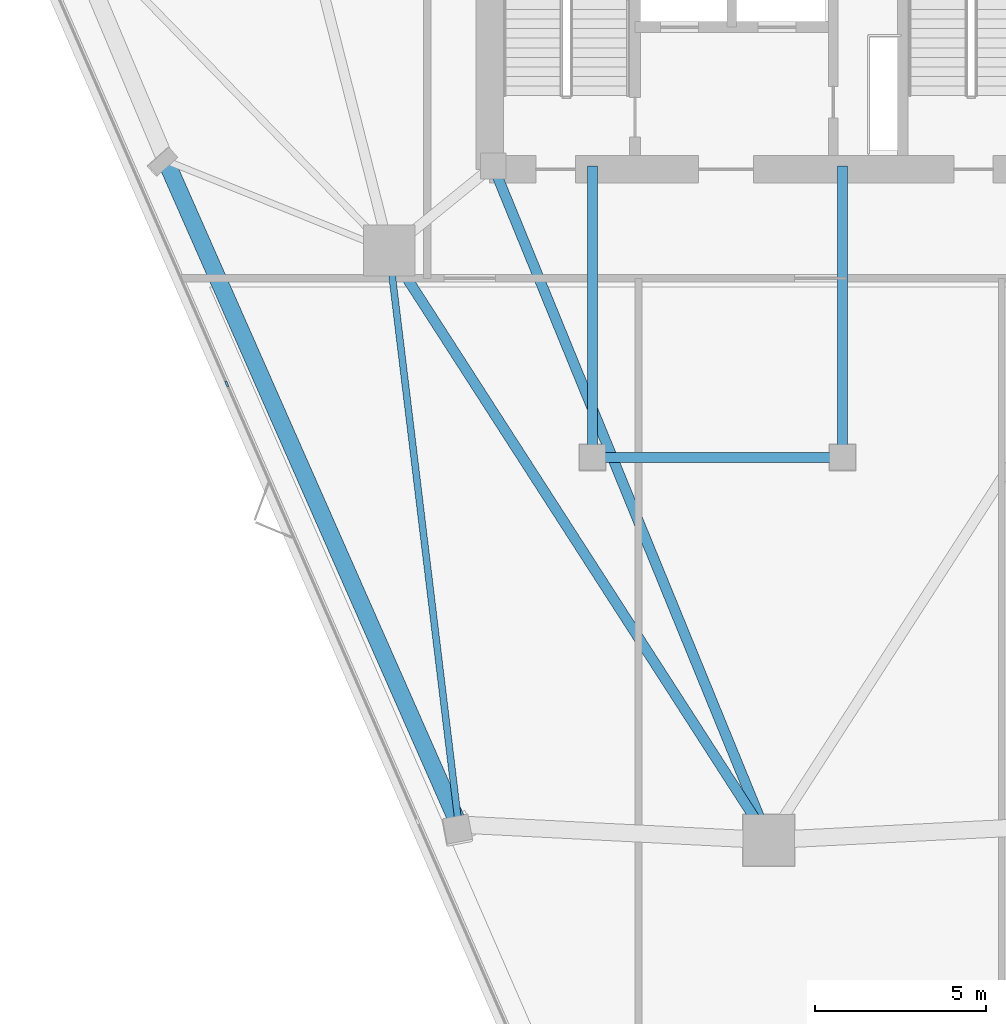
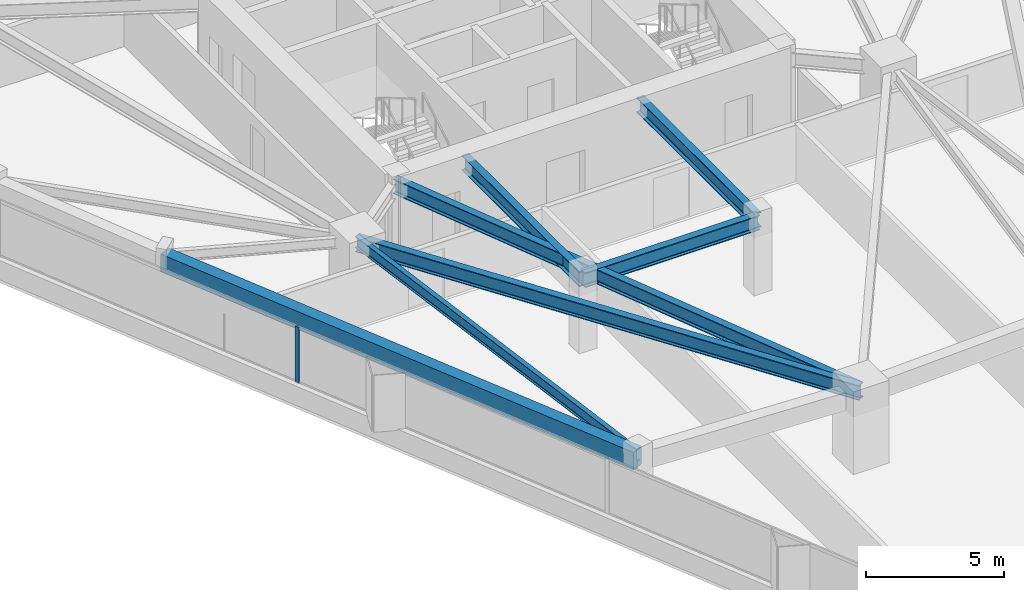
# One storey, part 3 of 13: 7 beams, 1 member, 1 element without a shape of its own.
"""IFC4 building model written with IfcOpenShell, lengths in metres."""

from ifc_helpers import new_model, si_unit, direction, frame, origin, origin_2d, place, context, subcontext, project, spatial, rectangle, i_section, extrude, material, layer, layer_set, material_profile, profile_set, type_object, element, aggregate, save


model = new_model("IFC4")

# Units and contexts
model_context = context("Model", 3, precision=1e-05, world=origin(), true_north=direction((0.0, 1.0)))
body_context = subcontext(model_context, "Body", "Model", "MODEL_VIEW")
ifc_project = project(units=[si_unit("LENGTHUNIT", "METRE"), si_unit("AREAUNIT", "SQUARE_METRE"), si_unit("VOLUMEUNIT", "CUBIC_METRE"), si_unit("PLANEANGLEUNIT", "RADIAN"), si_unit("MASSUNIT", "GRAM", prefix="KILO")], contexts=[model_context])

# Site, building, storey
site_placement = place(None, origin())
site = spatial("IfcSite", under=ifc_project, at=site_placement, CompositionType="ELEMENT")
building_placement = place(site_placement, origin())
building = spatial("IfcBuilding", under=site, at=building_placement, Name="Talyreon Biosciences Tower", CompositionType="ELEMENT")
storey_placement = place(building_placement, frame((0.0, 0.0, 167.35009765625)))
storey = spatial("IfcBuildingStorey", under=building, at=storey_placement, Name="L44", CompositionType="ELEMENT", Elevation=167.35009765625)

# Curtain wall, member
ifc_material_1 = material(Name="Thermally broken aluminium and low-E glazing", Category="aluminium")
ifc_layer = layer(ifc_material_1, 0.18505859375)
ifc_layer_set = layer_set([ifc_layer], Name="Thermally broken aluminium and low-E glazing")
curtain_wall_type = type_object("IfcCurtainWallType", Name="CurtainWall_Zone3Bioprocess", PredefinedType="NOTDEFINED", material=ifc_layer_set)
curtain_wall_placement = place(storey_placement, origin())
curtain_wall = element("IfcCurtainWall", 1, at=curtain_wall_placement, inside=storey, type_object=curtain_wall_type, Name="L44 Unitised Curtain Wall FCW-L44-00", PredefinedType="NOTDEFINED")
ifc_material_2 = material(Name="Anodised thermally broken aluminium", Category="aluminium")
ifc_material_profile_1 = material_profile(ifc_material_2, rectangle(XDim=0.06494140625, YDim=0.179931640625, at=origin_2d()), Name="ALUM MULLION 65x180")
ifc_profile_set_1 = profile_set([ifc_material_profile_1], Name="Anodised thermally broken aluminium")
member_type = type_object("IfcMemberType", Name="CWMullion_65x180", PredefinedType="MULLION", material=ifc_profile_set_1)
member_placement = place(storey_placement, frame((50.175048828125, 54.984375, 0.809814453125), z_axis=(0.0, 0.0, 1.0), x_axis=(-0.916820215501, -0.399300253505, 0.0)))
member = element("IfcMember", 2, at=member_placement, type_object=member_type, Name="CW4 mullion 3", PredefinedType="MULLION", context=body_context, shape_type="SweptSolid", body=[
    extrude(rectangle(XDim=0.06494140625, YDim=0.179931640625, at=origin_2d()), origin(), (0.0, 0.0, 1.0), 2.489990234375),
])
aggregate(curtain_wall, [member])

# Beams
ifc_material_3 = material(Name="Precast concrete C45/55", Category="concrete")
ifc_material_profile_2 = material_profile(ifc_material_3, rectangle(XDim=0.5, YDim=0.780029296875, at=origin_2d()), Name="RCB 500x780")
ifc_profile_set_2 = profile_set([ifc_material_profile_2], Name="Precast concrete C45/55")
beam_type_1 = type_object("IfcBeamType", Name="ExpressedSpandrel_500x780", PredefinedType="SPANDREL", material=ifc_profile_set_2)
beam_1_placement = place(storey_placement, frame((48.39306640625, 61.50537109375, 2.909912109375), z_axis=(0.403623183571, -0.914925311533, 0.0), x_axis=(0.914925311533, 0.403623183571, 0.0)))
element("IfcBeam", 3, at=beam_1_placement, inside=storey, type_object=beam_type_1, Name="L44 Expressed Horizontal Concrete Spandrel 11", PredefinedType="SPANDREL", context=body_context, shape_type="SweptSolid", body=[
    extrude(rectangle(XDim=0.5, YDim=0.780029296875, at=origin_2d()), origin(), (0.0, 0.0, 1.0), 21.185546875),
])
ifc_material_4 = material(Name="Steel SM355", Category="steel")
ifc_material_profile_3 = material_profile(ifc_material_4, i_section(OverallWidth=0.300048828125, OverallDepth=0.64990234375, WebThickness=0.01611328125, FlangeThickness=0.031005859375, FilletRadius=0.027099609375, at=origin_2d()), Name="HE650B")
ifc_profile_set_3 = profile_set([ifc_material_profile_3], Name="Steel SM355")
beam_type_2 = type_object("IfcBeamType", Name="SteelBeam_HE650B", PredefinedType="BEAM", material=ifc_profile_set_3)
beam_2_placement = place(storey_placement, frame((54.913818359375, 58.88037109375, 2.974853515625), z_axis=(0.541463723609, -0.840724114092, 0.0), x_axis=(0.840724114092, 0.541463723609, 0.0)))
element("IfcBeam", 4, at=beam_2_placement, inside=storey, type_object=beam_type_2, Name="L44 Mega-Ring Girder 6", PredefinedType="BEAM", context=body_context, shape_type="SweptSolid", body=[
    extrude(i_section(OverallWidth=0.300048828125, OverallDepth=0.64990234375, WebThickness=0.01611328125, FlangeThickness=0.031005859375, FilletRadius=0.027099609375, at=origin_2d()), origin(), (0.0, 0.0, 1.0), 20.474365234375),
])
beam_3_placement = place(storey_placement, frame((57.949951171875, 61.35009765625, 2.974853515625), z_axis=(0.378547014545, -0.925582064314, 0.0), x_axis=(0.925582064314, 0.378547014545, 0.0)))
element("IfcBeam", 5, at=beam_3_placement, inside=storey, type_object=beam_type_2, Name="L44 Radial Primary Girder 1", PredefinedType="BEAM", context=body_context, shape_type="SweptSolid", body=[
    extrude(i_section(OverallWidth=0.300048828125, OverallDepth=0.64990234375, WebThickness=0.01611328125, FlangeThickness=0.031005859375, FilletRadius=0.027099609375, at=origin_2d()), origin(), (0.0, 0.0, 1.0), 21.265625),
])
beam_4_placement = place(storey_placement, frame((60.85009765625, 52.840087890625, 2.974853515625), z_axis=(1.0, 0.0, 0.0), x_axis=(0.0, 1.0, 0.0)))
element("IfcBeam", 6, at=beam_4_placement, inside=storey, type_object=beam_type_2, Name="L44 Crown Shaft Spine Girder S", PredefinedType="BEAM", context=body_context, shape_type="SweptSolid", body=[
    extrude(i_section(OverallWidth=0.300048828125, OverallDepth=0.64990234375, WebThickness=0.01611328125, FlangeThickness=0.031005859375, FilletRadius=0.027099609375, at=origin_2d()), origin(), (0.0, 0.0, 1.0), 7.2998046875),
])
for number, where, z_axis, x_axis, name in (
    (7, (60.85009765625, 52.840087890625, 2.974853515625), (0.0, 1.0, 0.0), (-1.0, 0.0, 0.0), "L44 Crown Shaft Tie Girder W"),
    (8, (68.14990234375, 52.840087890625, 2.974853515625), (0.0, 1.0, 0.0), (-1.0, 0.0, 0.0), "L44 Crown Shaft Tie Girder E"),
):
    element("IfcBeam", number, at=place(storey_placement, frame(where, z_axis=z_axis, x_axis=x_axis)), inside=storey, type_object=beam_type_2, Name=name, PredefinedType="BEAM", context=body_context, shape_type="SweptSolid", body=[
        extrude(i_section(OverallWidth=0.300048828125, OverallDepth=0.64990234375, WebThickness=0.01611328125, FlangeThickness=0.031005859375, FilletRadius=0.027099609375, at=origin_2d()), origin(), (0.0, 0.0, 1.0), 8.510009765625),
    ])
ifc_material_profile_4 = material_profile(ifc_material_4, i_section(OverallWidth=0.199951171875, OverallDepth=0.5, WebThickness=0.01025390625, FlangeThickness=0.01611328125, FilletRadius=0.02099609375, at=origin_2d()), Name="IPE500")
ifc_profile_set_4 = profile_set([ifc_material_profile_4], Name="Steel SM355")
beam_type_3 = type_object("IfcBeamType", Name="SteelJoist_IPE500", PredefinedType="JOIST", material=ifc_profile_set_4)
beam_5_placement = place(storey_placement, frame((54.913818359375, 58.88037109375, 3.0498046875), z_axis=(0.120270899272, -0.99274110965, 0.0), x_axis=(0.99274110965, 0.120270899272, 0.0)))
element("IfcBeam", 9, at=beam_5_placement, inside=storey, type_object=beam_type_3, Name="L44 Radial Composite Floor Joist PC-SW2", PredefinedType="JOIST", context=body_context, shape_type="SweptSolid", body=[
    extrude(i_section(OverallWidth=0.199951171875, OverallDepth=0.5, WebThickness=0.01025390625, FlangeThickness=0.01611328125, FilletRadius=0.02099609375, at=origin_2d()), origin(), (0.0, 0.0, 1.0), 16.880859375),
])

save(model, "model.ifc")
